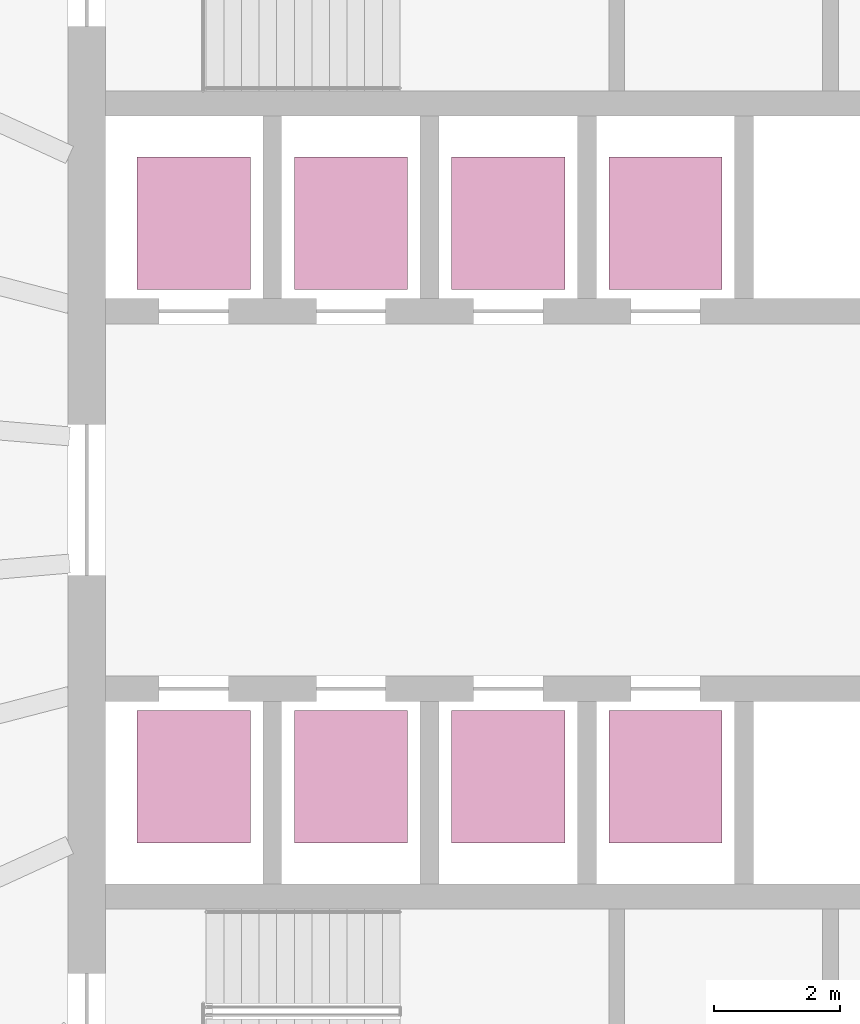
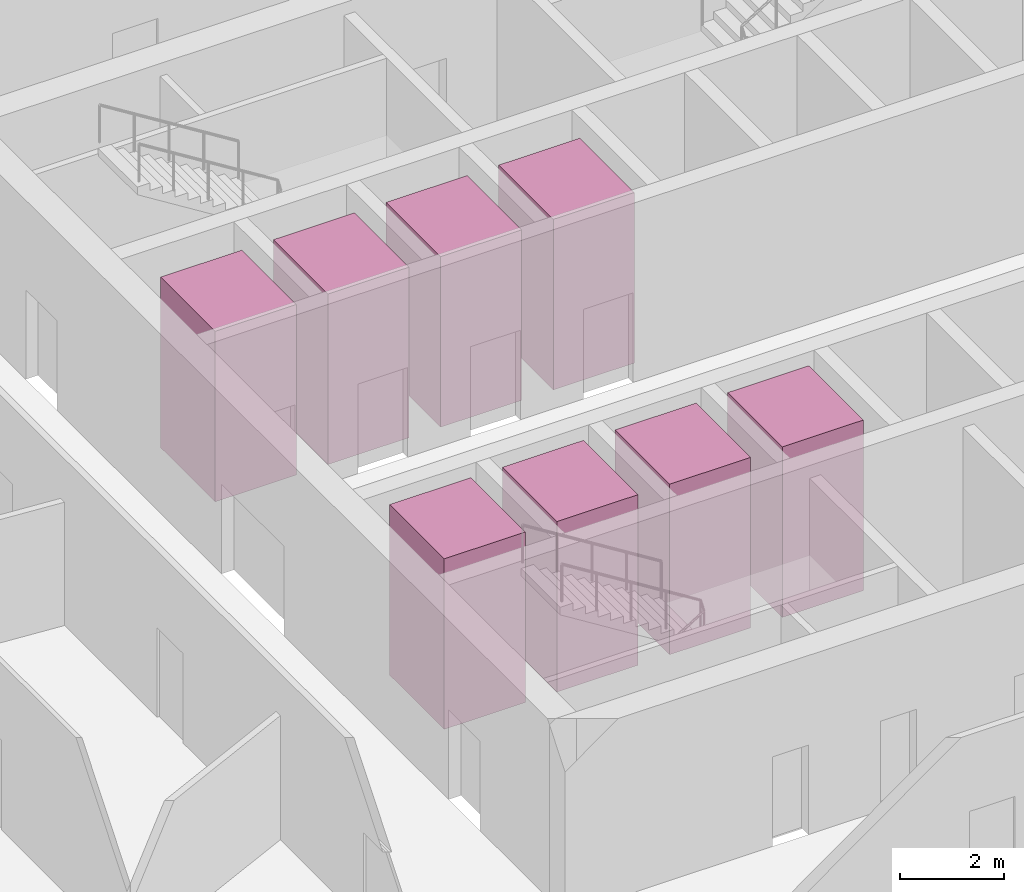
# One storey, part 10 of 10: 8 transport elements.
"""IFC4 building model written with IfcOpenShell, lengths in metres."""

from ifc_helpers import new_model, si_unit, direction, frame, origin, origin_2d, place, context, subcontext, project, spatial, rectangle, extrude, material, type_object, element, save


model = new_model("IFC4")

# Units and contexts
model_context = context("Model", 3, precision=1e-05, world=origin(), true_north=direction((0.0, 1.0)))
body_context = subcontext(model_context, "Body", "Model", "MODEL_VIEW")
ifc_project = project(units=[si_unit("LENGTHUNIT", "METRE"), si_unit("AREAUNIT", "SQUARE_METRE"), si_unit("VOLUMEUNIT", "CUBIC_METRE"), si_unit("PLANEANGLEUNIT", "RADIAN"), si_unit("MASSUNIT", "GRAM", prefix="KILO")], contexts=[model_context])

# Site, building, storey
site_placement = place(None, origin())
site = spatial("IfcSite", under=ifc_project, at=site_placement, CompositionType="ELEMENT")
building_placement = place(site_placement, origin())
building = spatial("IfcBuilding", under=site, at=building_placement, Name="Halqa Exchange Tower", CompositionType="ELEMENT")
storey_placement = place(building_placement, frame((0.0, 0.0, 57.10009765625)))
storey = spatial("IfcBuildingStorey", under=building, at=storey_placement, Name="L12", CompositionType="ELEMENT", Elevation=57.10009765625)

# Transport elements
ifc_material = material(Name="Stainless steel", Category="steel")
transport_element_type = type_object("IfcTransportElementType", Name="Low-rise passenger lift 1800 x 2100", PredefinedType="ELEVATOR", material=ifc_material)
for number, where, z_axis, x_axis, name in (
    (1, (-10.0, 4.39990234375, 0.0), (0.0, 0.0, 1.0), (1.0, 0.0, 0.0), "Low-rise passenger lift LR1"),
    (2, (-7.5, 4.39990234375, 0.0), (0.0, 0.0, 1.0), (1.0, 0.0, 0.0), "Low-rise passenger lift LR2"),
    (3, (-5.0, 4.39990234375, 0.0), (0.0, 0.0, 1.0), (1.0, 0.0, 0.0), "Low-rise passenger lift LR3"),
    (4, (-2.5, 4.39990234375, 0.0), (0.0, 0.0, 1.0), (1.0, 0.0, 0.0), "Low-rise passenger lift LR4"),
    (5, (-10.0, -4.39990234375, 0.0), (0.0, 0.0, 1.0), (1.0, 0.0, 0.0), "Low-rise passenger lift LR5"),
    (6, (-7.5, -4.39990234375, 0.0), (0.0, 0.0, 1.0), (1.0, 0.0, 0.0), "Low-rise passenger lift LR6"),
    (7, (-5.0, -4.39990234375, 0.0), (0.0, 0.0, 1.0), (1.0, 0.0, 0.0), "Low-rise passenger lift LR7"),
    (8, (-2.5, -4.39990234375, 0.0), (0.0, 0.0, 1.0), (1.0, 0.0, 0.0), "Low-rise passenger lift LR8"),
):
    element("IfcTransportElement", number, at=place(storey_placement, frame(where, z_axis=z_axis, x_axis=x_axis)), inside=storey, type_object=transport_element_type, Name=name, PredefinedType="ELEVATOR", context=body_context, shape_type="SweptSolid", body=[
        extrude(rectangle(XDim=1.800048828125, YDim=2.10009765625, at=origin_2d()), origin(), (0.0, 0.0, 1.0), 4.0),
    ])

save(model, "model.ifc")
